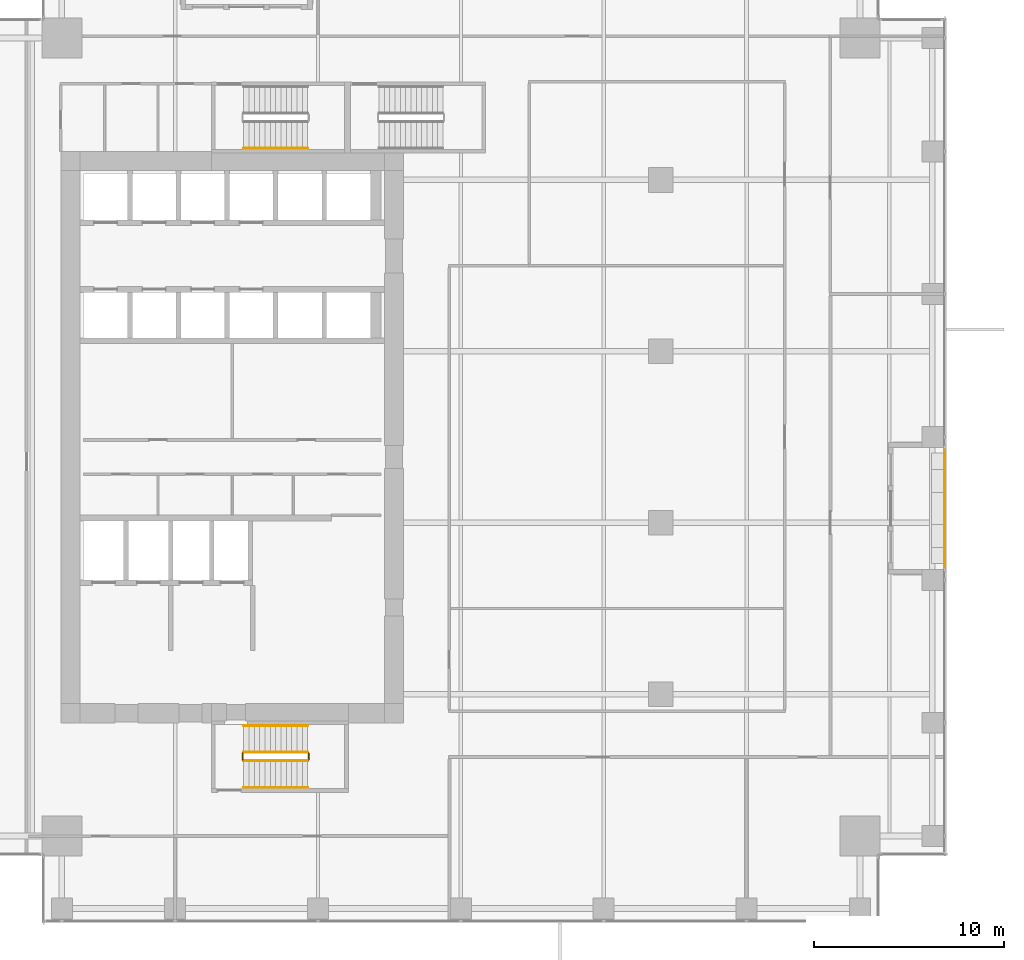
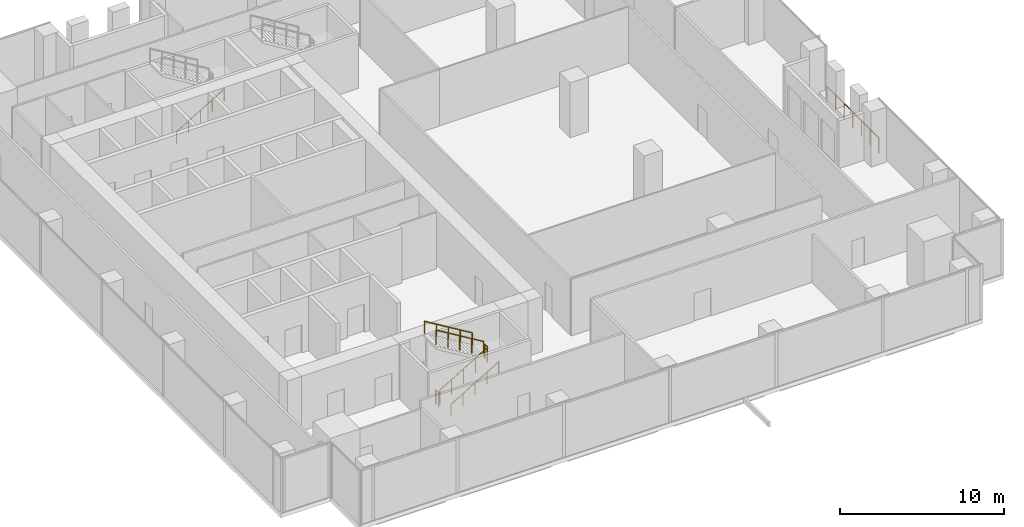
# One storey, part 32 of 34: 8 railings.
"""IFC4 building model written with IfcOpenShell, lengths in metres."""

from ifc_helpers import new_model, si_unit, direction, frame, origin, origin_2d, place, context, subcontext, project, spatial, circle, extrude, source, transform, mapped, material, type_object, element, save


model = new_model("IFC4")

# Units and contexts
model_context = context("Model", 3, precision=1e-05, world=origin(), true_north=direction((0.0, 1.0)))
body_context = subcontext(model_context, "Body", "Model", "MODEL_VIEW")
ifc_project = project(units=[si_unit("LENGTHUNIT", "METRE"), si_unit("AREAUNIT", "SQUARE_METRE"), si_unit("VOLUMEUNIT", "CUBIC_METRE"), si_unit("PLANEANGLEUNIT", "RADIAN"), si_unit("MASSUNIT", "GRAM", prefix="KILO")], contexts=[model_context])

# Site, building, storey
site_placement = place(None, origin())
site = spatial("IfcSite", under=ifc_project, at=site_placement, CompositionType="ELEMENT")
building_placement = place(site_placement, origin())
building = spatial("IfcBuilding", under=site, at=building_placement, Name="Khomas Fold Tower", CompositionType="ELEMENT")
storey_placement = place(building_placement, frame((0.0, 0.0, 145.5)))
storey = spatial("IfcBuildingStorey", under=building, at=storey_placement, Name="L31", CompositionType="ELEMENT", Elevation=145.5)

# Railings
ifc_material_1 = material(Name="Powder-coated steel", Category="steel")
railing_type_1 = type_object("IfcRailingType", Name="Balcony guard", PredefinedType="GUARDRAIL", material=ifc_material_1)
shared_shape_1 = source(origin(), body_context, "Body", "SweptSolid", [
    extrude(circle(Radius=0.02490234375, at=origin_2d()), frame((0.0, 0.0, 1.125), z_axis=(0.0, 1.0, 0.0), x_axis=(-1.0, 0.0, 0.0)), (0.0, 0.0, 1.0), 6.33984375),
    extrude(circle(Radius=0.02001953125, at=origin_2d()), origin(), (0.0, 0.0, 1.0), 1.099853515625),
    extrude(circle(Radius=0.02001953125, at=origin_2d()), frame((0.0, 1.056640625, 0.0)), (0.0, 0.0, 1.0), 1.099853515625),
    extrude(circle(Radius=0.02001953125, at=origin_2d()), frame((0.0, 2.11328125, 0.0)), (0.0, 0.0, 1.0), 1.099853515625),
    extrude(circle(Radius=0.02001953125, at=origin_2d()), frame((0.0, 3.169921875, 0.0)), (0.0, 0.0, 1.0), 1.099853515625),
    extrude(circle(Radius=0.02001953125, at=origin_2d()), frame((0.0, 4.2265625, 0.0)), (0.0, 0.0, 1.0), 1.099853515625),
    extrude(circle(Radius=0.02001953125, at=origin_2d()), frame((0.0, 5.283203125, 0.0)), (0.0, 0.0, 1.0), 1.099853515625),
    extrude(circle(Radius=0.02001953125, at=origin_2d()), frame((0.0, 6.33984375, 0.0)), (0.0, 0.0, 1.0), 1.099853515625),
])
railing_1_placement = place(storey_placement, frame((52.39990234375, 20.080078125, -0.044921875)))
element("IfcRailing", 1, at=railing_1_placement, inside=storey, type_object=railing_type_1, Name="Balcony guard BAL-L31-E2", PredefinedType="GUARDRAIL", context=body_context, shape_type="MappedRepresentation", body=[
    mapped(shared_shape_1, transform((0.0, 0.0, 0.0))),
])
ifc_material_2 = material(Name="Steel balustrade", Category="steel")
railing_type_2 = type_object("IfcRailingType", Name="Stair guard", PredefinedType="GUARDRAIL", material=ifc_material_2)
shared_shape_2 = source(origin(), body_context, "Body", "SweptSolid", [
    extrude(circle(Radius=0.02392578125, at=origin_2d()), frame((0.0, 0.0, 1.076171875), z_axis=(0.0, 1.0, 0.0), x_axis=(-1.0, 0.0, 0.0)), (0.0, 0.0, 1.0), 0.349853515625),
    extrude(circle(Radius=0.02099609375, at=origin_2d()), origin(), (0.0, 0.0, 1.0), 1.052001953125),
    extrude(circle(Radius=0.02099609375, at=origin_2d()), frame((0.0, 0.349853515625, 0.0)), (0.0, 0.0, 1.0), 1.052001953125),
])
for number, where, name in (
    (2, (19.010009765625, 10.050048828125, 2.199951171875), "L31 ST2 stair guard 2"),
    (3, (15.550048828125, 10.050048828125, 0.0), "L31 ST2 stair guard 4"),
):
    element("IfcRailing", number, at=place(storey_placement, frame(where)), inside=storey, type_object=railing_type_2, Name=name, PredefinedType="GUARDRAIL", context=body_context, shape_type="MappedRepresentation", body=[
        mapped(shared_shape_2, transform((0.0, 0.0, 0.0))),
    ])
shared_shape_3 = source(origin(), body_context, "Body", "SweptSolid", [
    extrude(circle(Radius=0.02392578125, at=origin_2d()), frame((0.0, 0.0, 1.076171875), z_axis=(0.855820338506, 0.0, 0.51727318527), x_axis=(0.0, 1.0, 0.0)), (0.0, 0.0, 1.0), 3.92578125),
    extrude(circle(Radius=0.02099609375, at=origin_2d()), origin(), (0.0, 0.0, 1.0), 1.052001953125),
    extrude(circle(Radius=0.02099609375, at=origin_2d()), frame((0.83984375, 0.0, 0.5078125)), (0.0, 0.0, 1.0), 1.052001953125),
    extrude(circle(Radius=0.02099609375, at=origin_2d()), frame((1.679931640625, 0.0, 1.015380859375)), (0.0, 0.0, 1.0), 1.052001953125),
    extrude(circle(Radius=0.02099609375, at=origin_2d()), frame((2.52001953125, 0.0, 1.52294921875)), (0.0, 0.0, 1.0), 1.052001953125),
    extrude(circle(Radius=0.02099609375, at=origin_2d()), frame((3.35986328125, 0.0, 2.03076171875)), (0.0, 0.0, 1.0), 1.052001953125),
])
railing_2_placement = place(storey_placement, frame((15.60009765625, 10.0, 0.169189453125)))
element("IfcRailing", 4, at=railing_2_placement, inside=storey, type_object=railing_type_2, Name="L31 ST2 stair guard 1", PredefinedType="GUARDRAIL", context=body_context, shape_type="MappedRepresentation", body=[
    mapped(shared_shape_3, transform((0.0, 0.0, 0.0))),
])
shared_shape_4 = source(origin(), body_context, "Body", "SweptSolid", [
    extrude(circle(Radius=0.02392578125, at=origin_2d()), frame((0.0, 0.0, 1.076171875), z_axis=(-0.855820338506, 0.0, 0.51727318527), x_axis=(0.0, -1.0, 0.0)), (0.0, 0.0, 1.0), 3.92578125),
    extrude(circle(Radius=0.02099609375, at=origin_2d()), origin(), (0.0, 0.0, 1.0), 1.052001953125),
    extrude(circle(Radius=0.02099609375, at=origin_2d()), frame((-0.83984375, 0.0, 0.5078125)), (0.0, 0.0, 1.0), 1.052001953125),
    extrude(circle(Radius=0.02099609375, at=origin_2d()), frame((-1.679931640625, 0.0, 1.015380859375)), (0.0, 0.0, 1.0), 1.052001953125),
    extrude(circle(Radius=0.02099609375, at=origin_2d()), frame((-2.52001953125, 0.0, 1.52294921875)), (0.0, 0.0, 1.0), 1.052001953125),
    extrude(circle(Radius=0.02099609375, at=origin_2d()), frame((-3.35986328125, 0.0, 2.03076171875)), (0.0, 0.0, 1.0), 1.052001953125),
])
railing_3_placement = place(storey_placement, frame((18.9599609375, 10.449951171875, 2.369140625)))
element("IfcRailing", 5, at=railing_3_placement, inside=storey, type_object=railing_type_2, Name="L31 ST2 stair guard 3", PredefinedType="GUARDRAIL", context=body_context, shape_type="MappedRepresentation", body=[
    mapped(shared_shape_4, transform((0.0, 0.0, 0.0))),
])
ifc_material_3 = material(Name="Steel handrail", Category="steel")
railing_type_3 = type_object("IfcRailingType", Name="Stair handrail", PredefinedType="HANDRAIL", material=ifc_material_3)
shared_shape_5 = source(origin(), body_context, "Body", "SweptSolid", [
    extrude(circle(Radius=0.02392578125, at=origin_2d()), frame((0.0, 0.0, 0.8759765625), z_axis=(0.855820338506, 0.0, 0.51727318527), x_axis=(0.0, 1.0, 0.0)), (0.0, 0.0, 1.0), 3.92578125),
    extrude(circle(Radius=0.02099609375, at=origin_2d()), origin(), (0.0, 0.0, 1.0), 0.851806640625),
    extrude(circle(Radius=0.02099609375, at=origin_2d()), frame((0.83984375, 0.0, 0.5078125)), (0.0, 0.0, 1.0), 0.851806640625),
    extrude(circle(Radius=0.02099609375, at=origin_2d()), frame((1.679931640625, 0.0, 1.015380859375)), (0.0, 0.0, 1.0), 0.851806640625),
    extrude(circle(Radius=0.02099609375, at=origin_2d()), frame((2.52001953125, 0.0, 1.52294921875)), (0.0, 0.0, 1.0), 0.851806640625),
    extrude(circle(Radius=0.02099609375, at=origin_2d()), frame((3.35986328125, 0.0, 2.03076171875)), (0.0, 0.0, 1.0), 0.851806640625),
])
for number, where, name in (
    (6, (15.60009765625, 42.14990234375, 0.169189453125), "L31 ST1 stair handrail 1"),
    (7, (15.60009765625, 8.60009765625, 0.169189453125), "L31 ST2 stair handrail 1"),
):
    element("IfcRailing", number, at=place(storey_placement, frame(where)), inside=storey, type_object=railing_type_3, Name=name, PredefinedType="HANDRAIL", context=body_context, shape_type="MappedRepresentation", body=[
        mapped(shared_shape_5, transform((0.0, 0.0, 0.0))),
    ])
shared_shape_6 = source(origin(), body_context, "Body", "SweptSolid", [
    extrude(circle(Radius=0.02392578125, at=origin_2d()), frame((0.0, 0.0, 0.8759765625), z_axis=(-0.855820338506, 0.0, 0.51727318527), x_axis=(0.0, -1.0, 0.0)), (0.0, 0.0, 1.0), 3.92578125),
    extrude(circle(Radius=0.02099609375, at=origin_2d()), origin(), (0.0, 0.0, 1.0), 0.851806640625),
    extrude(circle(Radius=0.02099609375, at=origin_2d()), frame((-0.83984375, 0.0, 0.5078125)), (0.0, 0.0, 1.0), 0.851806640625),
    extrude(circle(Radius=0.02099609375, at=origin_2d()), frame((-1.679931640625, 0.0, 1.015380859375)), (0.0, 0.0, 1.0), 0.851806640625),
    extrude(circle(Radius=0.02099609375, at=origin_2d()), frame((-2.52001953125, 0.0, 1.52294921875)), (0.0, 0.0, 1.0), 0.851806640625),
    extrude(circle(Radius=0.02099609375, at=origin_2d()), frame((-3.35986328125, 0.0, 2.03076171875)), (0.0, 0.0, 1.0), 0.851806640625),
])
railing_4_placement = place(storey_placement, frame((18.9599609375, 11.85009765625, 2.369140625)))
element("IfcRailing", 8, at=railing_4_placement, inside=storey, type_object=railing_type_3, Name="L31 ST2 stair handrail 2", PredefinedType="HANDRAIL", context=body_context, shape_type="MappedRepresentation", body=[
    mapped(shared_shape_6, transform((0.0, 0.0, 0.0))),
])

save(model, "model.ifc")
